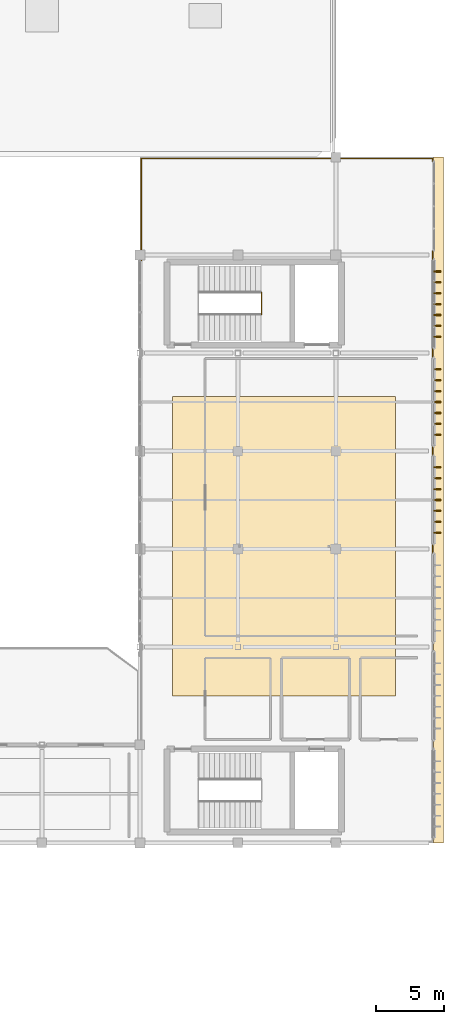
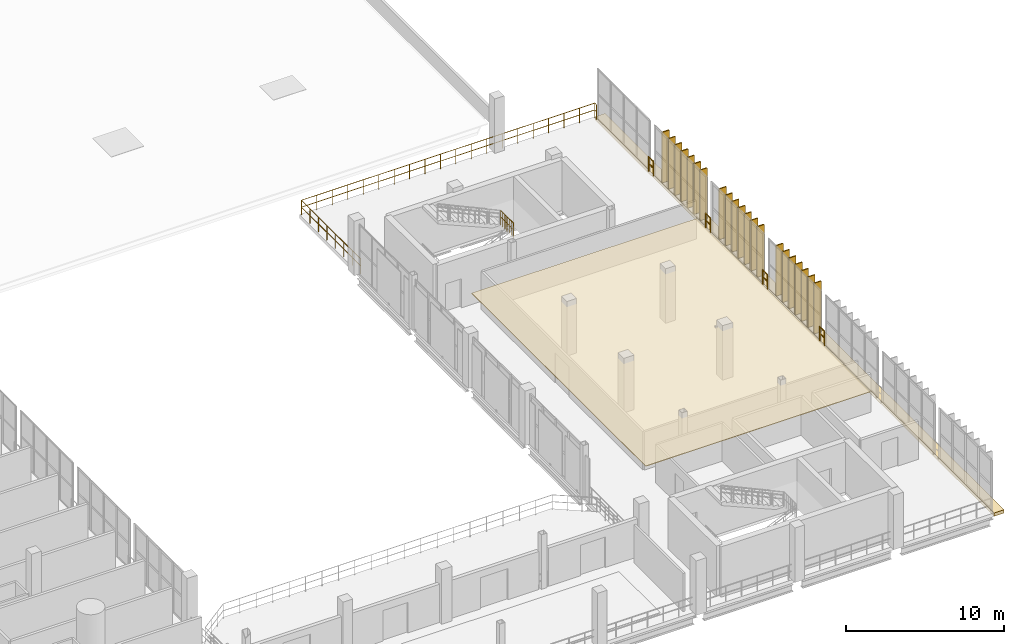
# One storey, part 129 of 130: 23 coverings, 6 railings.
"""IFC4 building model written with IfcOpenShell, lengths in metres."""

from ifc_helpers import new_model, si_unit, direction, frame, origin, origin_2d, place, context, subcontext, project, spatial, polyline, rectangle, circle, outline, extrude, material, layer, layer_set, type_object, element, save


model = new_model("IFC4")

# Units and contexts
model_context = context("Model", 3, precision=1e-05, world=origin(), true_north=direction((0.0, 1.0)))
body_context = subcontext(model_context, "Body", "Model", "MODEL_VIEW")
ifc_project = project(units=[si_unit("LENGTHUNIT", "METRE"), si_unit("AREAUNIT", "SQUARE_METRE"), si_unit("VOLUMEUNIT", "CUBIC_METRE"), si_unit("PLANEANGLEUNIT", "RADIAN"), si_unit("MASSUNIT", "GRAM", prefix="KILO")], contexts=[model_context])

# Site, building, storey
site_placement = place(None, origin())
site = spatial("IfcSite", under=ifc_project, at=site_placement, CompositionType="ELEMENT")
building_placement = place(site_placement, origin())
building = spatial("IfcBuilding", under=site, at=building_placement, Name="Qandorah Velis Arena", CompositionType="ELEMENT")
storey_placement = place(building_placement, frame((0.0, 0.0, 9.60009765625)))
storey = spatial("IfcBuildingStorey", under=building, at=storey_placement, Name="L02", CompositionType="ELEMENT", Elevation=9.60009765625)

# Coverings
ifc_material_1 = material(Name="Perforated mineral-fibre acoustic ceiling cloud", Category="gypsum")
ifc_layer_1 = layer(ifc_material_1, 0.044921875)
ifc_layer_set_1 = layer_set([ifc_layer_1], Name="Perforated mineral-fibre acoustic ceiling cloud")
covering_type_1 = type_object("IfcCoveringType", Name="ARC-COV-CEIL", PredefinedType="CEILING", material=ifc_layer_set_1)
covering_1_placement = place(storey_placement, frame((0.0, 0.0, 3.73486328125)))
element("IfcCovering", 1, at=covering_1_placement, inside=storey, type_object=covering_type_1, Name="Acoustic ceiling cloud AC-03", PredefinedType="CEILING", context=body_context, shape_type="SweptSolid", body=[
    extrude(outline(polyline([(153.60009765625, 54.0), (170.0, 54.0), (170.0, 76.0), (153.60009765625, 76.0), (153.60009765625, 54.0)])), origin(), (0.0, 0.0, 1.0), 0.044921875),
])
ifc_material_2 = material(Name="Precast Riyadh limestone cladding", Category="masonry")
ifc_layer_2 = layer(ifc_material_2, 0.054931640625)
ifc_layer_set_2 = layer_set([ifc_layer_2], Name="Precast Riyadh limestone cladding")
covering_type_2 = type_object("IfcCoveringType", Name="ARC-COV-CLAD", PredefinedType="CLADDING", material=ifc_layer_set_2)
covering_2_placement = place(storey_placement, frame((173.139892578125, 68.39990234375, -0.27001953125), z_axis=(0.0, 0.0, 1.0), x_axis=(1.0, 0.0, 0.0)))
element("IfcCovering", 2, at=covering_2_placement, inside=storey, type_object=covering_type_2, Name="Sculpted precast solar eyebrow reveal 08", PredefinedType="CLADDING", context=body_context, shape_type="SweptSolid", body=[
    extrude(rectangle(XDim=0.719970703125, YDim=50.39990234375, at=origin_2d()), origin(), (0.0, 0.0, 1.0), 0.260009765625),
])
ifc_material_3 = material(Name="Champagne-bronze anodized aluminium 6063-T6", Category="aluminium")
ifc_layer_3 = layer(ifc_material_3, 0.0849609375)
ifc_layer_set_3 = layer_set([ifc_layer_3], Name="Champagne-bronze anodized aluminium 6063-T6")
covering_type_3 = type_object("IfcCoveringType", Name="ARC-COV-FIN520", PredefinedType="CLADDING", material=ifc_layer_set_3)
for number, where, z_axis, x_axis, name in (
    (3, (173.052001953125, 66.0, -0.010009765625), (0.0, 0.0, 1.0), (1.0, 0.0, 0.0), "Vertical champagne-bronze solar fin blade WNG-E-L02-03-001"),
    (4, (173.052001953125, 66.800048828125, -0.010009765625), (0.0, 0.0, 1.0), (1.0, 0.0, 0.0), "Vertical champagne-bronze solar fin blade WNG-E-L02-03-002"),
    (5, (173.052001953125, 67.60009765625, -0.010009765625), (0.0, 0.0, 1.0), (1.0, 0.0, 0.0), "Vertical champagne-bronze solar fin blade WNG-E-L02-03-003"),
    (6, (173.052001953125, 68.39990234375, -0.010009765625), (0.0, 0.0, 1.0), (1.0, 0.0, 0.0), "Vertical champagne-bronze solar fin blade WNG-E-L02-03-004"),
    (7, (173.052001953125, 69.199951171875, -0.010009765625), (0.0, 0.0, 1.0), (1.0, 0.0, 0.0), "Vertical champagne-bronze solar fin blade WNG-E-L02-03-005"),
    (8, (173.052001953125, 70.0, -0.010009765625), (0.0, 0.0, 1.0), (1.0, 0.0, 0.0), "Vertical champagne-bronze solar fin blade WNG-E-L02-03-006"),
    (9, (173.052001953125, 70.800048828125, -0.010009765625), (0.0, 0.0, 1.0), (1.0, 0.0, 0.0), "Vertical champagne-bronze solar fin blade WNG-E-L02-03-007"),
    (10, (173.052001953125, 73.199951171875, -0.010009765625), (0.0, 0.0, 1.0), (1.0, 0.0, 0.0), "Vertical champagne-bronze solar fin blade WNG-E-L02-04-001"),
    (11, (173.052001953125, 74.0, -0.010009765625), (0.0, 0.0, 1.0), (1.0, 0.0, 0.0), "Vertical champagne-bronze solar fin blade WNG-E-L02-04-002"),
    (12, (173.052001953125, 74.800048828125, -0.010009765625), (0.0, 0.0, 1.0), (1.0, 0.0, 0.0), "Vertical champagne-bronze solar fin blade WNG-E-L02-04-003"),
    (13, (173.052001953125, 75.60009765625, -0.010009765625), (0.0, 0.0, 1.0), (1.0, 0.0, 0.0), "Vertical champagne-bronze solar fin blade WNG-E-L02-04-004"),
    (14, (173.052001953125, 76.39990234375, -0.010009765625), (0.0, 0.0, 1.0), (1.0, 0.0, 0.0), "Vertical champagne-bronze solar fin blade WNG-E-L02-04-005"),
    (15, (173.052001953125, 77.199951171875, -0.010009765625), (0.0, 0.0, 1.0), (1.0, 0.0, 0.0), "Vertical champagne-bronze solar fin blade WNG-E-L02-04-006"),
    (16, (173.052001953125, 78.0, -0.010009765625), (0.0, 0.0, 1.0), (1.0, 0.0, 0.0), "Vertical champagne-bronze solar fin blade WNG-E-L02-04-007"),
    (17, (173.052001953125, 80.39990234375, -0.010009765625), (0.0, 0.0, 1.0), (1.0, 0.0, 0.0), "Vertical champagne-bronze solar fin blade WNG-E-L02-05-001"),
    (18, (173.052001953125, 81.199951171875, -0.010009765625), (0.0, 0.0, 1.0), (1.0, 0.0, 0.0), "Vertical champagne-bronze solar fin blade WNG-E-L02-05-002"),
    (19, (173.052001953125, 82.0, -0.010009765625), (0.0, 0.0, 1.0), (1.0, 0.0, 0.0), "Vertical champagne-bronze solar fin blade WNG-E-L02-05-003"),
    (20, (173.052001953125, 82.800048828125, -0.010009765625), (0.0, 0.0, 1.0), (1.0, 0.0, 0.0), "Vertical champagne-bronze solar fin blade WNG-E-L02-05-004"),
    (21, (173.052001953125, 83.60009765625, -0.010009765625), (0.0, 0.0, 1.0), (1.0, 0.0, 0.0), "Vertical champagne-bronze solar fin blade WNG-E-L02-05-005"),
    (22, (173.052001953125, 84.39990234375, -0.010009765625), (0.0, 0.0, 1.0), (1.0, 0.0, 0.0), "Vertical champagne-bronze solar fin blade WNG-E-L02-05-006"),
    (23, (173.052001953125, 85.199951171875, -0.010009765625), (0.0, 0.0, 1.0), (1.0, 0.0, 0.0), "Vertical champagne-bronze solar fin blade WNG-E-L02-05-007"),
):
    element("IfcCovering", number, at=place(storey_placement, frame(where, z_axis=z_axis, x_axis=x_axis)), inside=storey, type_object=covering_type_3, Name=name, PredefinedType="CLADDING", context=body_context, shape_type="SweptSolid", body=[
        extrude(rectangle(XDim=0.52001953125, YDim=0.0849609375, at=origin_2d()), origin(), (0.0, 0.0, 1.0), 3.89990234375),
    ])

# Railings
ifc_material_4 = material(Name="Stainless steel 316", Category="steel")
railing_type = type_object("IfcRailingType", Name="ARC-RL-GRD1150", PredefinedType="GUARDRAIL", material=ifc_material_4)
railing_1_placement = place(storey_placement, frame((160.14599609375, 82.0400390625, 2.099853515625)))
element("IfcRailing", 24, at=railing_1_placement, inside=storey, type_object=railing_type, Name="Stair ST8 well guardrail (L02)", PredefinedType="GUARDRAIL", context=body_context, shape_type="SweptSolid", body=[
    extrude(circle(Radius=0.02392578125, at=origin_2d()), frame((0.0, 0.0, 1.1259765625), z_axis=(0.0, 1.0, 0.0), x_axis=(-1.0, 0.0, 0.0)), (0.0, 0.0, 1.0), 1.619873046875),
    extrude(circle(Radius=0.02392578125, at=origin_2d()), frame((0.0, 0.0, 0.597900390625), z_axis=(0.0, 1.0, 0.0), x_axis=(-1.0, 0.0, 0.0)), (0.0, 0.0, 1.0), 1.619873046875),
    extrude(circle(Radius=0.02099609375, at=origin_2d()), origin(), (0.0, 0.0, 1.0), 1.101806640625),
    extrude(circle(Radius=0.02099609375, at=origin_2d()), frame((0.0, 0.27001953125, 0.0)), (0.0, 0.0, 1.0), 1.101806640625),
    extrude(circle(Radius=0.02099609375, at=origin_2d()), frame((0.0, 0.5400390625, 0.0)), (0.0, 0.0, 1.0), 1.101806640625),
    extrude(circle(Radius=0.02099609375, at=origin_2d()), frame((0.0, 0.81005859375, 0.0)), (0.0, 0.0, 1.0), 1.101806640625),
    extrude(circle(Radius=0.02099609375, at=origin_2d()), frame((0.0, 1.079833984375, 0.0)), (0.0, 0.0, 1.0), 1.101806640625),
    extrude(circle(Radius=0.02099609375, at=origin_2d()), frame((0.0, 1.349853515625, 0.0)), (0.0, 0.0, 1.0), 1.101806640625),
    extrude(circle(Radius=0.02099609375, at=origin_2d()), frame((0.0, 1.619873046875, 0.0)), (0.0, 0.0, 1.0), 1.101806640625),
])
railing_2_placement = place(storey_placement, frame((151.300048828125, 86.0, 0.0)))
element("IfcRailing", 25, at=railing_2_placement, inside=storey, type_object=railing_type, Name="Slab edge safety guardrail L02-160", PredefinedType="GUARDRAIL", context=body_context, shape_type="SweptSolid", body=[
    extrude(circle(Radius=0.02392578125, at=origin_2d()), frame((0.0, 0.0, 1.1259765625), z_axis=(0.0, 1.0, 0.0), x_axis=(-1.0, 0.0, 0.0)), (0.0, 0.0, 1.0), 7.5),
    extrude(circle(Radius=0.02392578125, at=origin_2d()), frame((0.0, 0.0, 0.597900390625), z_axis=(0.0, 1.0, 0.0), x_axis=(-1.0, 0.0, 0.0)), (0.0, 0.0, 1.0), 7.5),
    extrude(circle(Radius=0.02392578125, at=origin_2d()), frame((0.0, 7.5, 1.1259765625), z_axis=(1.0, 0.0, 0.0), x_axis=(0.0, 1.0, 0.0)), (0.0, 0.0, 1.0), 21.39990234375),
    extrude(circle(Radius=0.02392578125, at=origin_2d()), frame((0.0, 7.5, 0.597900390625), z_axis=(1.0, 0.0, 0.0), x_axis=(0.0, 1.0, 0.0)), (0.0, 0.0, 1.0), 21.39990234375),
    extrude(circle(Radius=0.02392578125, at=origin_2d()), frame((21.39990234375, 7.5, 1.1259765625), z_axis=(0.0, -1.0, 0.0), x_axis=(1.0, 0.0, 0.0)), (0.0, 0.0, 1.0), 0.199951171875),
    extrude(circle(Radius=0.02392578125, at=origin_2d()), frame((21.39990234375, 7.5, 0.597900390625), z_axis=(0.0, -1.0, 0.0), x_axis=(1.0, 0.0, 0.0)), (0.0, 0.0, 1.0), 0.199951171875),
    extrude(circle(Radius=0.02099609375, at=origin_2d()), origin(), (0.0, 0.0, 1.0), 1.101806640625),
    extrude(circle(Radius=0.02099609375, at=origin_2d()), frame((0.0, 1.071533203125, 0.0)), (0.0, 0.0, 1.0), 1.101806640625),
    extrude(circle(Radius=0.02099609375, at=origin_2d()), frame((0.0, 2.142822265625, 0.0)), (0.0, 0.0, 1.0), 1.101806640625),
    extrude(circle(Radius=0.02099609375, at=origin_2d()), frame((0.0, 3.21435546875, 0.0)), (0.0, 0.0, 1.0), 1.101806640625),
    extrude(circle(Radius=0.02099609375, at=origin_2d()), frame((0.0, 4.28564453125, 0.0)), (0.0, 0.0, 1.0), 1.101806640625),
    extrude(circle(Radius=0.02099609375, at=origin_2d()), frame((0.0, 5.357177734375, 0.0)), (0.0, 0.0, 1.0), 1.101806640625),
    extrude(circle(Radius=0.02099609375, at=origin_2d()), frame((0.0, 6.428466796875, 0.0)), (0.0, 0.0, 1.0), 1.101806640625),
    extrude(circle(Radius=0.02099609375, at=origin_2d()), frame((0.0, 7.5, 0.0)), (0.0, 0.0, 1.0), 1.101806640625),
    extrude(circle(Radius=0.02099609375, at=origin_2d()), frame((1.126220703125, 7.5, 0.0)), (0.0, 0.0, 1.0), 1.101806640625),
    extrude(circle(Radius=0.02099609375, at=origin_2d()), frame((2.252685546875, 7.5, 0.0)), (0.0, 0.0, 1.0), 1.101806640625),
    extrude(circle(Radius=0.02099609375, at=origin_2d()), frame((3.37890625, 7.5, 0.0)), (0.0, 0.0, 1.0), 1.101806640625),
    extrude(circle(Radius=0.02099609375, at=origin_2d()), frame((4.505126953125, 7.5, 0.0)), (0.0, 0.0, 1.0), 1.101806640625),
    extrude(circle(Radius=0.02099609375, at=origin_2d()), frame((5.631591796875, 7.5, 0.0)), (0.0, 0.0, 1.0), 1.101806640625),
    extrude(circle(Radius=0.02099609375, at=origin_2d()), frame((6.7578125, 7.5, 0.0)), (0.0, 0.0, 1.0), 1.101806640625),
    extrude(circle(Radius=0.02099609375, at=origin_2d()), frame((7.88427734375, 7.5, 0.0)), (0.0, 0.0, 1.0), 1.101806640625),
    extrude(circle(Radius=0.02099609375, at=origin_2d()), frame((9.010498046875, 7.5, 0.0)), (0.0, 0.0, 1.0), 1.101806640625),
    extrude(circle(Radius=0.02099609375, at=origin_2d()), frame((10.13671875, 7.5, 0.0)), (0.0, 0.0, 1.0), 1.101806640625),
    extrude(circle(Radius=0.02099609375, at=origin_2d()), frame((11.26318359375, 7.5, 0.0)), (0.0, 0.0, 1.0), 1.101806640625),
    extrude(circle(Radius=0.02099609375, at=origin_2d()), frame((12.389404296875, 7.5, 0.0)), (0.0, 0.0, 1.0), 1.101806640625),
    extrude(circle(Radius=0.02099609375, at=origin_2d()), frame((13.515625, 7.5, 0.0)), (0.0, 0.0, 1.0), 1.101806640625),
    extrude(circle(Radius=0.02099609375, at=origin_2d()), frame((14.64208984375, 7.5, 0.0)), (0.0, 0.0, 1.0), 1.101806640625),
    extrude(circle(Radius=0.02099609375, at=origin_2d()), frame((15.768310546875, 7.5, 0.0)), (0.0, 0.0, 1.0), 1.101806640625),
    extrude(circle(Radius=0.02099609375, at=origin_2d()), frame((16.894775390625, 7.5, 0.0)), (0.0, 0.0, 1.0), 1.101806640625),
    extrude(circle(Radius=0.02099609375, at=origin_2d()), frame((18.02099609375, 7.5, 0.0)), (0.0, 0.0, 1.0), 1.101806640625),
    extrude(circle(Radius=0.02099609375, at=origin_2d()), frame((19.147216796875, 7.5, 0.0)), (0.0, 0.0, 1.0), 1.101806640625),
    extrude(circle(Radius=0.02099609375, at=origin_2d()), frame((20.273681640625, 7.5, 0.0)), (0.0, 0.0, 1.0), 1.101806640625),
    extrude(circle(Radius=0.02099609375, at=origin_2d()), frame((21.39990234375, 7.5, 0.0)), (0.0, 0.0, 1.0), 1.101806640625),
    extrude(circle(Radius=0.02099609375, at=origin_2d()), frame((21.39990234375, 7.300048828125, 0.0)), (0.0, 0.0, 1.0), 1.101806640625),
])
railing_3_placement = place(storey_placement, frame((172.699951171875, 86.699951171875, 0.0)))
element("IfcRailing", 26, at=railing_3_placement, inside=storey, type_object=railing_type, Name="Slab edge safety guardrail L02-161", PredefinedType="GUARDRAIL", context=body_context, shape_type="SweptSolid", body=[
    extrude(circle(Radius=0.02392578125, at=origin_2d()), frame((0.0, 0.0, 1.1259765625), z_axis=(0.0, -1.0, 0.0), x_axis=(1.0, 0.0, 0.0)), (0.0, 0.0, 1.0), 0.599853515625),
    extrude(circle(Radius=0.02392578125, at=origin_2d()), frame((0.0, 0.0, 0.597900390625), z_axis=(0.0, -1.0, 0.0), x_axis=(1.0, 0.0, 0.0)), (0.0, 0.0, 1.0), 0.599853515625),
    extrude(circle(Radius=0.02099609375, at=origin_2d()), origin(), (0.0, 0.0, 1.0), 1.101806640625),
    extrude(circle(Radius=0.02099609375, at=origin_2d()), frame((0.0, -0.599853515625, 0.0)), (0.0, 0.0, 1.0), 1.101806640625),
])
for number, where, name in (
    (27, (172.699951171875, 79.5, 0.0), "Slab edge safety guardrail L02-162"),
    (28, (172.699951171875, 72.300048828125, 0.0), "Slab edge safety guardrail L02-163"),
    (29, (172.699951171875, 65.10009765625, 0.0), "Slab edge safety guardrail L02-164"),
):
    element("IfcRailing", number, at=place(storey_placement, frame(where)), inside=storey, type_object=railing_type, Name=name, PredefinedType="GUARDRAIL", context=body_context, shape_type="SweptSolid", body=[
        extrude(circle(Radius=0.02392578125, at=origin_2d()), frame((0.0, 0.0, 1.1259765625), z_axis=(0.0, -1.0, 0.0), x_axis=(1.0, 0.0, 0.0)), (0.0, 0.0, 1.0), 0.60009765625),
        extrude(circle(Radius=0.02392578125, at=origin_2d()), frame((0.0, 0.0, 0.597900390625), z_axis=(0.0, -1.0, 0.0), x_axis=(1.0, 0.0, 0.0)), (0.0, 0.0, 1.0), 0.60009765625),
        extrude(circle(Radius=0.02099609375, at=origin_2d()), origin(), (0.0, 0.0, 1.0), 1.101806640625),
        extrude(circle(Radius=0.02099609375, at=origin_2d()), frame((0.0, -0.60009765625, 0.0)), (0.0, 0.0, 1.0), 1.101806640625),
    ])

save(model, "model.ifc")
